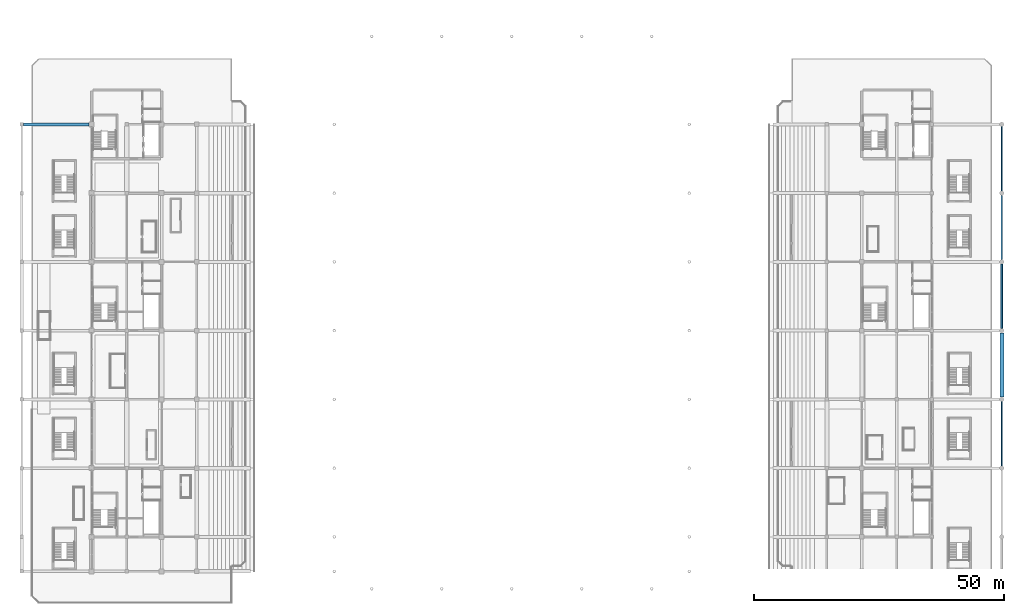
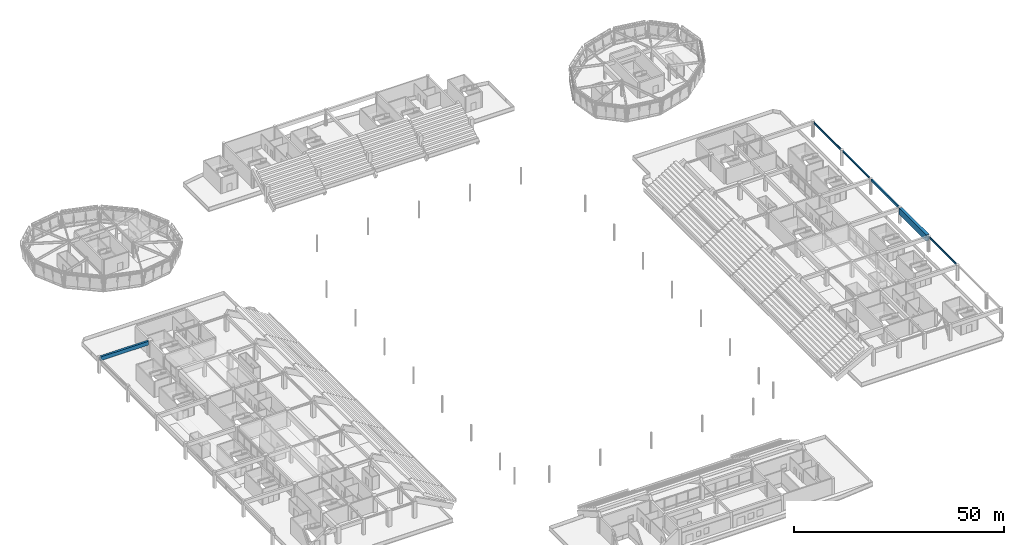
# One storey, part 42 of 94: 6 beams.
"""IFC4 building model written with IfcOpenShell, lengths in metres."""

from ifc_helpers import new_model, si_unit, direction, frame, origin, origin_2d, place, context, subcontext, project, spatial, rectangle, i_section, extrude, material, material_profile, profile_set, type_object, element, save


model = new_model("IFC4")

# Units and contexts
model_context = context("Model", 3, precision=1e-05, world=origin(), true_north=direction((0.0, 1.0)))
body_context = subcontext(model_context, "Body", "Model", "MODEL_VIEW")
ifc_project = project(units=[si_unit("LENGTHUNIT", "METRE"), si_unit("AREAUNIT", "SQUARE_METRE"), si_unit("VOLUMEUNIT", "CUBIC_METRE"), si_unit("PLANEANGLEUNIT", "RADIAN"), si_unit("MASSUNIT", "GRAM", prefix="KILO")], contexts=[model_context])

# Site, building, storey
site_placement = place(None, origin())
site = spatial("IfcSite", under=ifc_project, at=site_placement, CompositionType="ELEMENT")
building_placement = place(site_placement, origin())
building = spatial("IfcBuilding", under=site, at=building_placement, Name="Linyun Crest Stadium", CompositionType="ELEMENT")
storey_placement = place(building_placement, frame((0.0, 0.0, 16.199951171875)))
storey = spatial("IfcBuildingStorey", under=building, at=storey_placement, Name="L04", CompositionType="ELEMENT", Elevation=16.199951171875)

# Beams
ifc_material_1 = material(Name="Concrete C40", Category="concrete")
ifc_material_profile_1 = material_profile(ifc_material_1, rectangle(XDim=0.35009765625, YDim=0.64990234375, at=origin_2d()), Name="RCB 650x350")
ifc_profile_set_1 = profile_set([ifc_material_profile_1], Name="Concrete C40")
beam_type_1 = type_object("IfcBeamType", Name="B02", PredefinedType="BEAM", material=ifc_profile_set_1)
beam_1_placement = place(storey_placement, frame((98.0, 2.574951171875, 4.235107421875), z_axis=(0.0, 1.0, 0.0), x_axis=(-1.0, 0.0, 0.0)))
element("IfcBeam", 1, at=beam_1_placement, inside=storey, type_object=beam_type_1, Name="Frame beam B02 L04 725", PredefinedType="BEAM", context=body_context, shape_type="SweptSolid", body=[
    extrude(rectangle(XDim=0.35009765625, YDim=0.64990234375, at=origin_2d()), origin(), (0.0, 0.0, 1.0), 12.85009765625),
])
ifc_material_2 = material(Name="Steel Q355C", Category="steel")
ifc_material_profile_2 = material_profile(ifc_material_2, i_section(OverallWidth=0.300048828125, OverallDepth=0.43994140625, WebThickness=0.010986328125, FlangeThickness=0.01806640625, at=origin_2d()), Name="HM 440x300")
ifc_profile_set_2 = profile_set([ifc_material_profile_2], Name="Steel Q355C")
beam_type_2 = type_object("IfcBeamType", Name="B07", PredefinedType="BEAM", material=ifc_profile_set_2)
beam_2_placement = place(storey_placement, frame((98.0, 16.324951171875, 4.340087890625), z_axis=(0.0, 1.0, 0.0), x_axis=(-1.0, 0.0, 0.0)))
element("IfcBeam", 2, at=beam_2_placement, inside=storey, type_object=beam_type_2, Name="Frame beam B07 L04 726", PredefinedType="BEAM", context=body_context, shape_type="SweptSolid", body=[
    extrude(i_section(OverallWidth=0.300048828125, OverallDepth=0.43994140625, WebThickness=0.010986328125, FlangeThickness=0.01806640625, at=origin_2d()), origin(), (0.0, 0.0, 1.0), 12.85009765625),
])
ifc_material_3 = material(Name="Steel Q355C", Category="steel")
ifc_material_profile_3 = material_profile(ifc_material_3, i_section(OverallWidth=0.199951171875, OverallDepth=0.60009765625, WebThickness=0.010986328125, FlangeThickness=0.01708984375, at=origin_2d()), Name="HN 600x200")
ifc_profile_set_3 = profile_set([ifc_material_profile_3], Name="Steel Q355C")
beam_type_3 = type_object("IfcBeamType", Name="B11", PredefinedType="BEAM", material=ifc_profile_set_3)
for number, where, z_axis, x_axis, name in (
    (3, (98.0, -24.925048828125, 4.260009765625), (0.0, 1.0, 0.0), (-1.0, 0.0, 0.0), "Frame beam B11 L04 723"),
    (4, (98.0, 30.074951171875, 4.260009765625), (0.0, 1.0, 0.0), (-1.0, 0.0, 0.0), "Frame beam B11 L04 727"),
):
    element("IfcBeam", number, at=place(storey_placement, frame(where, z_axis=z_axis, x_axis=x_axis)), inside=storey, type_object=beam_type_3, Name=name, PredefinedType="BEAM", context=body_context, shape_type="SweptSolid", body=[
        extrude(i_section(OverallWidth=0.199951171875, OverallDepth=0.60009765625, WebThickness=0.010986328125, FlangeThickness=0.01708984375, at=origin_2d()), origin(), (0.0, 0.0, 1.0), 12.85009765625),
    ])
ifc_material_4 = material(Name="Concrete C50", Category="concrete")
ifc_material_profile_4 = material_profile(ifc_material_4, rectangle(XDim=0.800048828125, YDim=1.800048828125, at=origin_2d()), Name="RCB 1800x800")
ifc_profile_set_4 = profile_set([ifc_material_profile_4], Name="Concrete C50")
beam_type_4 = type_object("IfcBeamType", Name="B14", PredefinedType="BEAM", material=ifc_profile_set_4)
beam_3_placement = place(storey_placement, frame((98.0, -11.175048828125, 3.66015625), z_axis=(0.0, 1.0, 0.0), x_axis=(-1.0, 0.0, 0.0)))
element("IfcBeam", 5, at=beam_3_placement, inside=storey, type_object=beam_type_4, Name="Frame beam B14 L04 724", PredefinedType="BEAM", context=body_context, shape_type="SweptSolid", body=[
    extrude(rectangle(XDim=0.800048828125, YDim=1.800048828125, at=origin_2d()), origin(), (0.0, 0.0, 1.0), 12.85009765625),
])
ifc_material_5 = material(Name="Concrete C50", Category="concrete")
ifc_material_profile_5 = material_profile(ifc_material_5, rectangle(XDim=0.550048828125, YDim=1.10009765625, at=origin_2d()), Name="RCB 1100x550")
ifc_profile_set_5 = profile_set([ifc_material_profile_5], Name="Concrete C50")
beam_type_5 = type_object("IfcBeamType", Name="TB01", PredefinedType="USERDEFINED", material=ifc_profile_set_5)
beam_4_placement = place(storey_placement, frame((-97.64990234375, 43.375, 4.050048828125), z_axis=(1.0, 0.0, 0.0), x_axis=(0.0, 1.0, 0.0)))
element("IfcBeam", 6, at=beam_4_placement, inside=storey, type_object=beam_type_5, Name="Frame beam TB01 L04 317", ObjectType="GIRDER", PredefinedType="USERDEFINED", context=body_context, shape_type="SweptSolid", body=[
    extrude(rectangle(XDim=0.550048828125, YDim=1.10009765625, at=origin_2d()), origin(), (0.0, 0.0, 1.0), 13.14990234375),
])

save(model, "model.ifc")
